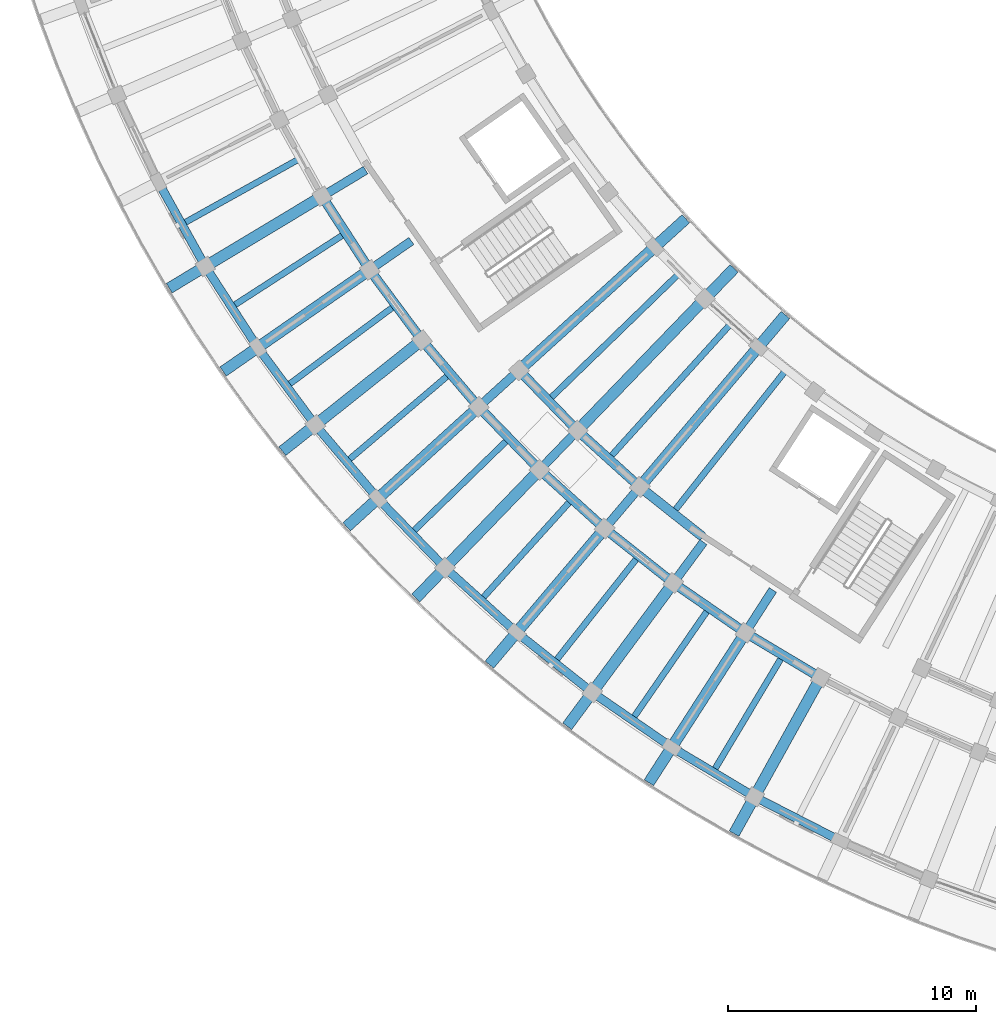
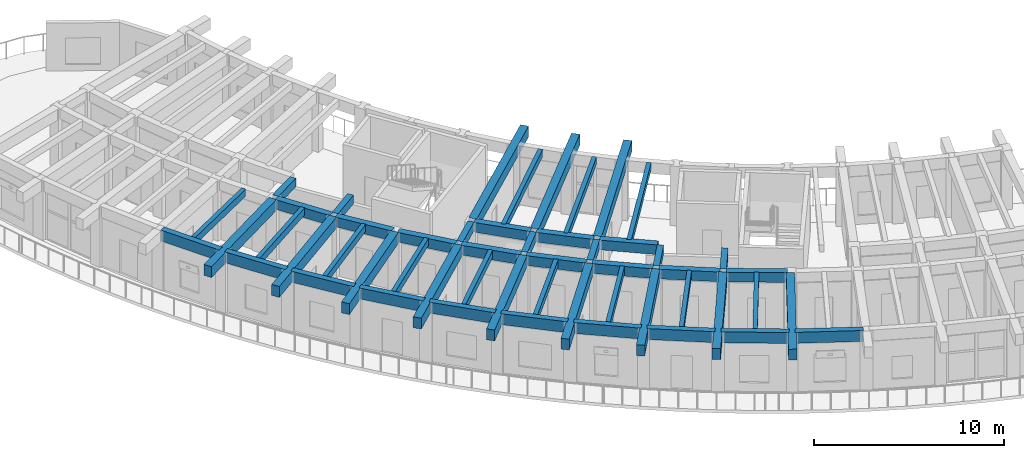
# One storey, part 6 of 128: 52 beams.
"""IFC4 building model written with IfcOpenShell, lengths in metres."""

from ifc_helpers import new_model, si_unit, direction, frame, origin, origin_2d, place, context, subcontext, project, spatial, rectangle, extrude, material, material_profile, profile_set, type_object, element, save


model = new_model("IFC4")

# Units and contexts
model_context = context("Model", 3, precision=1e-05, world=origin(), true_north=direction((0.0, 1.0)))
body_context = subcontext(model_context, "Body", "Model", "MODEL_VIEW")
ifc_project = project(units=[si_unit("LENGTHUNIT", "METRE"), si_unit("AREAUNIT", "SQUARE_METRE"), si_unit("VOLUMEUNIT", "CUBIC_METRE"), si_unit("PLANEANGLEUNIT", "RADIAN"), si_unit("MASSUNIT", "GRAM", prefix="KILO")], contexts=[model_context])

# Site, building, storey
site_placement = place(None, origin())
site = spatial("IfcSite", under=ifc_project, at=site_placement, CompositionType="ELEMENT")
building_placement = place(site_placement, origin())
building = spatial("IfcBuilding", under=site, at=building_placement, Name="Tanwirah Colonnade Gardens", CompositionType="ELEMENT")
storey_placement = place(building_placement, frame((0.0, 0.0, 4.760009765625)))
storey = spatial("IfcBuildingStorey", under=building, at=storey_placement, Name="L01", CompositionType="ELEMENT", Elevation=4.760009765625)

# Beams
ifc_material_1 = material(Name="Precast concrete C40/50", Category="concrete")
ifc_material_profile_1 = material_profile(ifc_material_1, rectangle(XDim=0.35009765625, YDim=0.550048828125, at=origin_2d()), Name="PC-BM 350x550")
ifc_profile_set_1 = profile_set([ifc_material_profile_1], Name="Precast concrete C40/50")
beam_type_1 = type_object("IfcBeamType", Name="BM-PC350A", PredefinedType="BEAM", material=ifc_profile_set_1)
beam_1_placement = place(storey_placement, frame((20.42724609375, 37.718017578125, 3.550048828125), z_axis=(-0.857186654737, -0.515005863017, 0.0), x_axis=(0.515005863017, -0.857186654737, 0.0)))
element("IfcBeam", 1, at=beam_1_placement, inside=storey, type_object=beam_type_1, Name="Block C L01 Corridor Tie Beam 4", PredefinedType="BEAM", context=body_context, shape_type="SweptSolid", body=[
    extrude(rectangle(XDim=0.35009765625, YDim=0.550048828125, at=origin_2d()), origin(), (0.0, 0.0, 1.0), 1.89990234375),
])
beam_2_placement = place(storey_placement, frame((22.2744140625, 34.860107421875, 3.550048828125), z_axis=(-0.821669163201, -0.569964723684, 0.0), x_axis=(0.569964723684, -0.821669163201, 0.0)))
element("IfcBeam", 2, at=beam_2_placement, inside=storey, type_object=beam_type_1, Name="Block C L01 Corridor Tie Beam 5", PredefinedType="BEAM", context=body_context, shape_type="SweptSolid", body=[
    extrude(rectangle(XDim=0.35009765625, YDim=0.550048828125, at=origin_2d()), origin(), (0.0, 0.0, 1.0), 1.900146484375),
])
beam_3_placement = place(storey_placement, frame((26.508544921875, 29.536865234375, 3.550048828125), z_axis=(-0.740219127015, -0.672365707038, 0.0), x_axis=(0.672365707038, -0.740219127015, 0.0)))
element("IfcBeam", 3, at=beam_3_placement, inside=storey, type_object=beam_type_1, Name="Block C L01 Corridor Tie Beam 7", PredefinedType="BEAM", context=body_context, shape_type="SweptSolid", body=[
    extrude(rectangle(XDim=0.35009765625, YDim=0.550048828125, at=origin_2d()), origin(), (0.0, 0.0, 1.0), 1.899658203125),
])
beam_4_placement = place(storey_placement, frame((28.877685546875, 27.09423828125, 3.550048828125), z_axis=(-0.694663306685, -0.719335033448, 0.0), x_axis=(0.719335033448, -0.694663306685, 0.0)))
element("IfcBeam", 4, at=beam_4_placement, inside=storey, type_object=beam_type_1, Name="Block C L01 Corridor Tie Beam 8", PredefinedType="BEAM", context=body_context, shape_type="SweptSolid", body=[
    extrude(rectangle(XDim=0.35009765625, YDim=0.550048828125, at=origin_2d()), origin(), (0.0, 0.0, 1.0), 1.89990234375),
])
for number, where, z_axis, x_axis, name in (
    (5, (31.401611328125, 24.81201171875, 3.550048828125), (-0.646155325581, -0.763205932382, 0.0), (0.763205932382, -0.646155325581, 0.0), "Block C L01 Corridor Tie Beam 9"),
    (6, (34.0693359375, 22.699462890625, 3.550048828125), (-0.594889497099, -0.803807493273, 0.0), (0.803807493273, -0.594889497099, 0.0), "Block C L01 Corridor Tie Beam 10"),
):
    element("IfcBeam", number, at=place(storey_placement, frame(where, z_axis=z_axis, x_axis=x_axis)), inside=storey, type_object=beam_type_1, Name=name, PredefinedType="BEAM", context=body_context, shape_type="SweptSolid", body=[
        extrude(rectangle(XDim=0.35009765625, YDim=0.550048828125, at=origin_2d()), origin(), (0.0, 0.0, 1.0), 1.900146484375),
    ])
beam_5_placement = place(storey_placement, frame((36.869384765625, 20.765869140625, 3.550048828125), z_axis=(-0.540984881989, -0.841032316537, 0.0), x_axis=(0.841032316537, -0.540984881989, 0.0)))
element("IfcBeam", 7, at=beam_5_placement, inside=storey, type_object=beam_type_1, Name="Block C L01 Corridor Tie Beam 11", PredefinedType="BEAM", context=body_context, shape_type="SweptSolid", body=[
    extrude(rectangle(XDim=0.35009765625, YDim=0.550048828125, at=origin_2d()), origin(), (0.0, 0.0, 1.0), 1.89990234375),
])
ifc_material_profile_2 = material_profile(ifc_material_1, rectangle(XDim=0.3798828125, YDim=0.6201171875, at=origin_2d()), Name="PC-BM 380x620")
ifc_profile_set_2 = profile_set([ifc_material_profile_2], Name="Precast concrete C40/50")
beam_type_2 = type_object("IfcBeamType", Name="BM-PC380", PredefinedType="BEAM", material=ifc_profile_set_2)
beam_6_placement = place(storey_placement, frame((18.75146484375, 36.5361328125, 3.514892578125), z_axis=(0.542825891173, -0.839845254718, 0.0), x_axis=(0.839845254718, 0.542825891173, 0.0)))
element("IfcBeam", 8, at=beam_6_placement, inside=storey, type_object=beam_type_2, Name="Block C L01 Circumferential Beam 4-R2", PredefinedType="BEAM", context=body_context, shape_type="SweptSolid", body=[
    extrude(rectangle(XDim=0.3798828125, YDim=0.6201171875, at=origin_2d()), origin(), (0.0, 0.0, 1.0), 3.23681640625),
])
beam_7_placement = place(storey_placement, frame((20.679443359375, 33.5712890625, 3.514892578125), z_axis=(0.596579473879, -0.802554005252, 0.0), x_axis=(0.802554005252, 0.596579473879, 0.0)))
element("IfcBeam", 9, at=beam_7_placement, inside=storey, type_object=beam_type_2, Name="Block C L01 Circumferential Beam 5-R2", PredefinedType="BEAM", context=body_context, shape_type="SweptSolid", body=[
    extrude(rectangle(XDim=0.3798828125, YDim=0.6201171875, at=origin_2d()), origin(), (0.0, 0.0, 1.0), 3.237060546875),
])
beam_8_placement = place(storey_placement, frame((22.797119140625, 30.73876953125, 3.514892578125), z_axis=(0.6478235549, -0.761790418499, 0.0), x_axis=(0.761790418499, 0.6478235549, 0.0)))
element("IfcBeam", 10, at=beam_8_placement, inside=storey, type_object=beam_type_2, Name="Block C L01 Circumferential Beam 6-R2", PredefinedType="BEAM", context=body_context, shape_type="SweptSolid", body=[
    extrude(rectangle(XDim=0.3798828125, YDim=0.6201171875, at=origin_2d()), origin(), (0.0, 0.0, 1.0), 3.23681640625),
])
beam_9_placement = place(storey_placement, frame((26.72412109375, 29.530029296875, 3.514892578125), z_axis=(0.696209937932, -0.71783822852, 0.0), x_axis=(0.71783822852, 0.696209937932, 0.0)))
element("IfcBeam", 11, at=beam_9_placement, inside=storey, type_object=beam_type_2, Name="Block C L01 Circumferential Beam 7-R1", PredefinedType="BEAM", context=body_context, shape_type="SweptSolid", body=[
    extrude(rectangle(XDim=0.3798828125, YDim=0.6201171875, at=origin_2d()), origin(), (0.0, 0.0, 1.0), 3.093017578125),
])
beam_10_placement = place(storey_placement, frame((25.095703125, 28.05078125, 3.514892578125), z_axis=(0.696238887656, -0.717810149911, 0.0), x_axis=(0.717810149911, 0.696238887656, 0.0)))
element("IfcBeam", 12, at=beam_10_placement, inside=storey, type_object=beam_type_2, Name="Block C L01 Circumferential Beam 7-R2", PredefinedType="BEAM", context=body_context, shape_type="SweptSolid", body=[
    extrude(rectangle(XDim=0.3798828125, YDim=0.6201171875, at=origin_2d()), origin(), (0.0, 0.0, 1.0), 3.23681640625),
])
beam_11_placement = place(storey_placement, frame((29.09326171875, 27.1015625, 3.514892578125), z_axis=(0.741698455559, -0.670733479873, 0.0), x_axis=(0.670733479873, 0.741698455559, 0.0)))
element("IfcBeam", 13, at=beam_11_placement, inside=storey, type_object=beam_type_2, Name="Block C L01 Circumferential Beam 8-R1", PredefinedType="BEAM", context=body_context, shape_type="SweptSolid", body=[
    extrude(rectangle(XDim=0.3798828125, YDim=0.6201171875, at=origin_2d()), origin(), (0.0, 0.0, 1.0), 3.0927734375),
])
beam_12_placement = place(storey_placement, frame((27.56494140625, 25.51904296875, 3.514892578125), z_axis=(0.741701929733, -0.670729638104, 0.0), x_axis=(0.670729638104, 0.741701929733, 0.0)))
element("IfcBeam", 14, at=beam_12_placement, inside=storey, type_object=beam_type_2, Name="Block C L01 Circumferential Beam 8-R2", PredefinedType="BEAM", context=body_context, shape_type="SweptSolid", body=[
    extrude(rectangle(XDim=0.3798828125, YDim=0.6201171875, at=origin_2d()), origin(), (0.0, 0.0, 1.0), 3.237060546875),
])
beam_13_placement = place(storey_placement, frame((31.615966796875, 24.833251953125, 3.514892578125), z_axis=(0.783962588163, -0.62080807047, 0.0), x_axis=(0.62080807047, 0.783962588163, 0.0)))
element("IfcBeam", 15, at=beam_13_placement, inside=storey, type_object=beam_type_2, Name="Block C L01 Circumferential Beam 9-R1", PredefinedType="BEAM", context=body_context, shape_type="SweptSolid", body=[
    extrude(rectangle(XDim=0.3798828125, YDim=0.6201171875, at=origin_2d()), origin(), (0.0, 0.0, 1.0), 3.093017578125),
])
beam_14_placement = place(storey_placement, frame((30.194580078125, 23.154052734375, 3.514892578125), z_axis=(0.783993819374, -0.620768629349, 0.0), x_axis=(0.620768629349, 0.783993819374, 0.0)))
element("IfcBeam", 16, at=beam_14_placement, inside=storey, type_object=beam_type_2, Name="Block C L01 Circumferential Beam 9-R2", PredefinedType="BEAM", context=body_context, shape_type="SweptSolid", body=[
    extrude(rectangle(XDim=0.3798828125, YDim=0.6201171875, at=origin_2d()), origin(), (0.0, 0.0, 1.0), 3.23681640625),
])
beam_15_placement = place(storey_placement, frame((32.97314453125, 20.96630859375, 3.514892578125), z_axis=(0.822889344221, -0.568201660651, 0.0), x_axis=(0.568201660651, 0.822889344221, 0.0)))
element("IfcBeam", 17, at=beam_15_placement, inside=storey, type_object=beam_type_2, Name="Block C L01 Circumferential Beam 10-R2", PredefinedType="BEAM", context=body_context, shape_type="SweptSolid", body=[
    extrude(rectangle(XDim=0.3798828125, YDim=0.6201171875, at=origin_2d()), origin(), (0.0, 0.0, 1.0), 3.237060546875),
])
beam_16_placement = place(storey_placement, frame((35.88916015625, 18.96484375, 3.514892578125), z_axis=(0.858270604513, -0.513197398111, 0.0), x_axis=(0.513197398111, 0.858270604513, 0.0)))
element("IfcBeam", 18, at=beam_16_placement, inside=storey, type_object=beam_type_2, Name="Block C L01 Circumferential Beam 11-R2", PredefinedType="BEAM", context=body_context, shape_type="SweptSolid", body=[
    extrude(rectangle(XDim=0.3798828125, YDim=0.6201171875, at=origin_2d()), origin(), (0.0, 0.0, 1.0), 3.23681640625),
])
ifc_material_2 = material(Name="Precast concrete C45/55", Category="concrete")
ifc_material_profile_3 = material_profile(ifc_material_2, rectangle(XDim=0.449951171875, YDim=0.699951171875, at=origin_2d()), Name="PC-BM 450x700")
ifc_profile_set_3 = profile_set([ifc_material_profile_3], Name="Precast concrete C45/55")
beam_type_3 = type_object("IfcBeamType", Name="BM-PC450", PredefinedType="BEAM", material=ifc_profile_set_3)
for number, where, z_axis, x_axis, name in (
    (19, (18.54150390625, 36.5849609375, 3.47509765625), (-0.857159687729, -0.515050744812, 0.0), (0.515050744812, -0.857159687729, 0.0), "Block C L01 Outer Radial Precast Girder 4"),
    (20, (20.466796875, 33.606201171875, 3.47509765625), (-0.821647028495, -0.569996632066, 0.0), (0.569996632066, -0.821647028495, 0.0), "Block C L01 Outer Radial Precast Girder 5"),
):
    element("IfcBeam", number, at=place(storey_placement, frame(where, z_axis=z_axis, x_axis=x_axis)), inside=storey, type_object=beam_type_3, Name=name, PredefinedType="BEAM", context=body_context, shape_type="SweptSolid", body=[
        extrude(rectangle(XDim=0.449951171875, YDim=0.699951171875, at=origin_2d()), origin(), (0.0, 0.0, 1.0), 7.050048828125),
    ])
beam_17_placement = place(storey_placement, frame((22.58251953125, 30.759765625, 3.47509765625), z_axis=(-0.782609106384, -0.622513442911, 0.0), x_axis=(0.622513442911, -0.782609106384, 0.0)))
element("IfcBeam", 21, at=beam_17_placement, inside=storey, type_object=beam_type_3, Name="Block C L01 Outer Radial Precast Girder 6", PredefinedType="BEAM", context=body_context, shape_type="SweptSolid", body=[
    extrude(rectangle(XDim=0.449951171875, YDim=0.699951171875, at=origin_2d()), origin(), (0.0, 0.0, 1.0), 7.0498046875),
])
beam_18_placement = place(storey_placement, frame((26.730712890625, 29.738525390625, 3.47509765625), z_axis=(0.740212791446, 0.672372681911, 0.0), x_axis=(-0.672372681911, 0.740212791446, 0.0)))
element("IfcBeam", 22, at=beam_18_placement, inside=storey, type_object=beam_type_3, Name="Block C L01 Inner Radial Precast Girder 7", PredefinedType="BEAM", context=body_context, shape_type="SweptSolid", body=[
    extrude(rectangle(XDim=0.449951171875, YDim=0.699951171875, at=origin_2d()), origin(), (0.0, 0.0, 1.0), 8.9501953125),
])
beam_19_placement = place(storey_placement, frame((24.880126953125, 28.0576171875, 3.47509765625), z_axis=(-0.740229899169, -0.672353847596, 0.0), x_axis=(0.672353847596, -0.740229899169, 0.0)))
element("IfcBeam", 23, at=beam_19_placement, inside=storey, type_object=beam_type_3, Name="Block C L01 Outer Radial Precast Girder 7", PredefinedType="BEAM", context=body_context, shape_type="SweptSolid", body=[
    extrude(rectangle(XDim=0.449951171875, YDim=0.699951171875, at=origin_2d()), origin(), (0.0, 0.0, 1.0), 7.0498046875),
])
beam_20_placement = place(storey_placement, frame((29.086181640625, 27.31005859375, 3.47509765625), z_axis=(0.694655848402, 0.719342235852, 0.0), x_axis=(-0.719342235852, 0.694655848402, 0.0)))
element("IfcBeam", 24, at=beam_20_placement, inside=storey, type_object=beam_type_3, Name="Block C L01 Inner Radial Precast Girder 8", PredefinedType="BEAM", context=body_context, shape_type="SweptSolid", body=[
    extrude(rectangle(XDim=0.449951171875, YDim=0.699951171875, at=origin_2d()), origin(), (0.0, 0.0, 1.0), 8.9501953125),
])
beam_21_placement = place(storey_placement, frame((27.349609375, 25.51171875, 3.47509765625), z_axis=(-0.69467114255, -0.719327466254, 0.0), x_axis=(0.719327466254, -0.69467114255, 0.0)))
element("IfcBeam", 25, at=beam_21_placement, inside=storey, type_object=beam_type_3, Name="Block C L01 Outer Radial Precast Girder 8", PredefinedType="BEAM", context=body_context, shape_type="SweptSolid", body=[
    extrude(rectangle(XDim=0.449951171875, YDim=0.699951171875, at=origin_2d()), origin(), (0.0, 0.0, 1.0), 7.050048828125),
])
beam_22_placement = place(storey_placement, frame((31.595458984375, 25.040771484375, 3.47509765625), z_axis=(0.64611097415, 0.763243479554, 0.0), x_axis=(-0.763243479554, 0.64611097415, 0.0)))
element("IfcBeam", 26, at=beam_22_placement, inside=storey, type_object=beam_type_3, Name="Block C L01 Inner Radial Precast Girder 9", PredefinedType="BEAM", context=body_context, shape_type="SweptSolid", body=[
    extrude(rectangle(XDim=0.449951171875, YDim=0.699951171875, at=origin_2d()), origin(), (0.0, 0.0, 1.0), 8.949951171875),
])
for number, where, z_axis, x_axis, name in (
    (27, (29.97998046875, 23.1328125, 3.47509765625), (-0.646119193339, -0.763236521663, 0.0), (0.763236521663, -0.646119193339, 0.0), "Block C L01 Outer Radial Precast Girder 9"),
    (28, (32.760498046875, 20.930908203125, 3.47509765625), (-0.594806754627, -0.803868723518, 0.0), (0.803868723518, -0.594806754627, 0.0), "Block C L01 Outer Radial Precast Girder 10"),
    (29, (35.67919921875, 18.915771484375, 3.47509765625), (-0.540976349149, -0.841037805132, 0.0), (0.841037805132, -0.540976349149, 0.0), "Block C L01 Outer Radial Precast Girder 11"),
):
    element("IfcBeam", number, at=place(storey_placement, frame(where, z_axis=z_axis, x_axis=x_axis)), inside=storey, type_object=beam_type_3, Name=name, PredefinedType="BEAM", context=body_context, shape_type="SweptSolid", body=[
        extrude(rectangle(XDim=0.449951171875, YDim=0.699951171875, at=origin_2d()), origin(), (0.0, 0.0, 1.0), 7.050048828125),
    ])
beam_23_placement = place(storey_placement, frame((38.723388671875, 17.095703125, 3.47509765625), z_axis=(-0.484804753745, -0.874622404667, 0.0), x_axis=(0.874622404667, -0.484804753745, 0.0)))
element("IfcBeam", 30, at=beam_23_placement, inside=storey, type_object=beam_type_3, Name="Block C L01 Outer Radial Precast Girder 12", PredefinedType="BEAM", context=body_context, shape_type="SweptSolid", body=[
    extrude(rectangle(XDim=0.449951171875, YDim=0.699951171875, at=origin_2d()), origin(), (0.0, 0.0, 1.0), 7.05029296875),
])
ifc_material_profile_4 = material_profile(ifc_material_1, rectangle(XDim=0.25, YDim=0.449951171875, at=origin_2d()), Name="PC-JST 250x450")
ifc_profile_set_4 = profile_set([ifc_material_profile_4], Name="Precast concrete C40/50")
beam_type_4 = type_object("IfcBeamType", Name="JST-PC250", PredefinedType="JOIST", material=ifc_profile_set_4)
for number, where, z_axis, x_axis, name in (
    (31, (17.67919921875, 38.134521484375, 3.60009765625), (-0.87356769437, -0.486702664214, 0.0), (0.486702664214, -0.87356769437, 0.0), "Block C L01 Precast Floor Joist 3"),
    (32, (19.5048828125, 35.09619140625, 3.60009765625), (-0.839842770955, -0.542829733963, 0.0), (0.542829733963, -0.839842770955, 0.0), "Block C L01 Precast Floor Joist 4"),
    (33, (21.525390625, 32.18359375, 3.60009765625), (-0.802560347737, -0.596570941499, 0.0), (0.596570941499, -0.802560347737, 0.0), "Block C L01 Precast Floor Joist 5"),
    (34, (23.732177734375, 29.409423828125, 3.60009765625), (-0.761803021124, -0.647808734895, 0.0), (0.647808734895, -0.761803021124, 0.0), "Block C L01 Precast Floor Joist 6"),
    (35, (26.115478515625, 26.785400390625, 3.60009765625), (-0.717816036263, -0.696232818878, 0.0), (0.696232818878, -0.717816036263, 0.0), "Block C L01 Precast Floor Joist 7"),
):
    element("IfcBeam", number, at=place(storey_placement, frame(where, z_axis=z_axis, x_axis=x_axis)), inside=storey, type_object=beam_type_4, Name=name, PredefinedType="JOIST", context=body_context, shape_type="SweptSolid", body=[
        extrude(rectangle(XDim=0.25, YDim=0.449951171875, at=origin_2d()), origin(), (0.0, 0.0, 1.0), 5.260009765625),
    ])
beam_24_placement = place(storey_placement, frame((33.006591796875, 33.46923828125, 3.60009765625), z_axis=(-0.717816218075, -0.69623263143, 0.0), x_axis=(0.69623263143, -0.717816218075, 0.0)))
element("IfcBeam", 36, at=beam_24_placement, inside=storey, type_object=beam_type_4, Name="Block C L01 Inner Precast Floor Joist 7", PredefinedType="JOIST", context=body_context, shape_type="SweptSolid", body=[
    extrude(rectangle(XDim=0.25, YDim=0.449951171875, at=origin_2d()), origin(), (0.0, 0.0, 1.0), 7.16015625),
])
beam_25_placement = place(storey_placement, frame((28.66552734375, 24.322998046875, 3.60009765625), z_axis=(-0.670780841255, -0.741655622918, 0.0), x_axis=(0.741655622918, -0.670780841255, 0.0)))
element("IfcBeam", 37, at=beam_25_placement, inside=storey, type_object=beam_type_4, Name="Block C L01 Precast Floor Joist 8", PredefinedType="JOIST", context=body_context, shape_type="SweptSolid", body=[
    extrude(rectangle(XDim=0.25, YDim=0.449951171875, at=origin_2d()), origin(), (0.0, 0.0, 1.0), 5.260009765625),
])
beam_26_placement = place(storey_placement, frame((35.104736328125, 31.443115234375, 3.60009765625), z_axis=(-0.670773136608, -0.741662591214, 0.0), x_axis=(0.741662591214, -0.670773136608, 0.0)))
element("IfcBeam", 38, at=beam_26_placement, inside=storey, type_object=beam_type_4, Name="Block C L01 Inner Precast Floor Joist 8", PredefinedType="JOIST", context=body_context, shape_type="SweptSolid", body=[
    extrude(rectangle(XDim=0.25, YDim=0.449951171875, at=origin_2d()), origin(), (0.0, 0.0, 1.0), 7.159912109375),
])
beam_27_placement = place(storey_placement, frame((31.370849609375, 22.03271484375, 3.60009765625), z_axis=(-0.620787347885, -0.783978997617, 0.0), x_axis=(0.783978997617, -0.620787347885, 0.0)))
element("IfcBeam", 39, at=beam_27_placement, inside=storey, type_object=beam_type_4, Name="Block C L01 Precast Floor Joist 9", PredefinedType="JOIST", context=body_context, shape_type="SweptSolid", body=[
    extrude(rectangle(XDim=0.25, YDim=0.449951171875, at=origin_2d()), origin(), (0.0, 0.0, 1.0), 5.260009765625),
])
beam_28_placement = place(storey_placement, frame((37.33056640625, 29.55859375, 3.60009765625), z_axis=(-0.620803379809, -0.783966302603, 0.0), x_axis=(0.783966302603, -0.620803379809, 0.0)))
element("IfcBeam", 40, at=beam_28_placement, inside=storey, type_object=beam_type_4, Name="Block C L01 Inner Precast Floor Joist 9", PredefinedType="JOIST", context=body_context, shape_type="SweptSolid", body=[
    extrude(rectangle(XDim=0.25, YDim=0.449951171875, at=origin_2d()), origin(), (0.0, 0.0, 1.0), 7.159912109375),
])
for number, where, z_axis, x_axis, name in (
    (41, (34.220458984375, 19.924072265625, 3.60009765625), (-0.56820792868, -0.822885016138, 0.0), (0.822885016138, -0.56820792868, 0.0), "Block C L01 Precast Floor Joist 10"),
    (42, (37.20166015625, 18.006591796875, 3.60009765625), (-0.513157303227, -0.858294577721, 0.0), (0.858294577721, -0.513157303227, 0.0), "Block C L01 Precast Floor Joist 11"),
):
    element("IfcBeam", number, at=place(storey_placement, frame(where, z_axis=z_axis, x_axis=x_axis)), inside=storey, type_object=beam_type_4, Name=name, PredefinedType="JOIST", context=body_context, shape_type="SweptSolid", body=[
        extrude(rectangle(XDim=0.25, YDim=0.449951171875, at=origin_2d()), origin(), (0.0, 0.0, 1.0), 5.260009765625),
    ])
ifc_material_profile_5 = material_profile(ifc_material_2, rectangle(XDim=0.340087890625, YDim=0.699951171875, at=origin_2d()), Name="PC-SP 340x700")
ifc_profile_set_5 = profile_set([ifc_material_profile_5], Name="Precast concrete C45/55")
beam_type_5 = type_object("IfcBeamType", Name="SP-PC340", PredefinedType="SPANDREL", material=ifc_profile_set_5)
beam_29_placement = place(storey_placement, frame((12.132080078125, 37.1025390625, 3.47509765625), z_axis=(0.486679958674, -0.87358034423, 0.0), x_axis=(0.87358034423, 0.486679958674, 0.0)))
element("IfcBeam", 43, at=beam_29_placement, inside=storey, type_object=beam_type_5, Name="Block C L01 Circumferential Beam 3-R3", PredefinedType="SPANDREL", context=body_context, shape_type="SweptSolid", body=[
    extrude(rectangle(XDim=0.340087890625, YDim=0.699951171875, at=origin_2d()), origin(), (0.0, 0.0, 1.0), 3.5966796875),
])
for number, where, z_axis, x_axis, name in (
    (44, (14.037109375, 33.70361328125, 3.47509765625), (0.542786838894, -0.839870494495, 0.0), (0.839870494495, 0.542786838894, 0.0), "Block C L01 Circumferential Beam 4-R3"),
    (45, (16.160400390625, 30.436279296875, 3.47509765625), (0.596562665898, -0.802566499212, 0.0), (0.802566499212, 0.596562665898, 0.0), "Block C L01 Circumferential Beam 5-R3"),
):
    element("IfcBeam", number, at=place(storey_placement, frame(where, z_axis=z_axis, x_axis=x_axis)), inside=storey, type_object=beam_type_5, Name=name, PredefinedType="SPANDREL", context=body_context, shape_type="SweptSolid", body=[
        extrude(rectangle(XDim=0.340087890625, YDim=0.699951171875, at=origin_2d()), origin(), (0.0, 0.0, 1.0), 3.596923828125),
    ])
for number, where, z_axis, x_axis, name in (
    (46, (18.492919921875, 27.31494140625, 3.47509765625), (0.647784367984, -0.76182374116, 0.0), (0.76182374116, 0.647784367984, 0.0), "Block C L01 Circumferential Beam 6-R3"),
    (47, (21.0244140625, 24.352783203125, 3.47509765625), (0.696231699401, -0.717817122079, 0.0), (0.717817122079, 0.696231699401, 0.0), "Block C L01 Circumferential Beam 7-R3"),
):
    element("IfcBeam", number, at=place(storey_placement, frame(where, z_axis=z_axis, x_axis=x_axis)), inside=storey, type_object=beam_type_5, Name=name, PredefinedType="SPANDREL", context=body_context, shape_type="SweptSolid", body=[
        extrude(rectangle(XDim=0.340087890625, YDim=0.699951171875, at=origin_2d()), origin(), (0.0, 0.0, 1.0), 3.5966796875),
    ])
for number, where, z_axis, x_axis, name in (
    (48, (23.744384765625, 21.562744140625, 3.47509765625), (0.741682092868, -0.670751573325, 0.0), (0.670751573325, 0.741682092868, 0.0), "Block C L01 Circumferential Beam 8-R3"),
    (49, (26.640869140625, 18.956298828125, 3.47509765625), (0.783971495357, -0.620796822211, 0.0), (0.620796822211, 0.783971495357, 0.0), "Block C L01 Circumferential Beam 9-R3"),
    (50, (29.70166015625, 16.545166015625, 3.47509765625), (0.822907478943, -0.568175396423, 0.0), (0.568175396423, 0.822907478943, 0.0), "Block C L01 Circumferential Beam 10-R3"),
):
    element("IfcBeam", number, at=place(storey_placement, frame(where, z_axis=z_axis, x_axis=x_axis)), inside=storey, type_object=beam_type_5, Name=name, PredefinedType="SPANDREL", context=body_context, shape_type="SweptSolid", body=[
        extrude(rectangle(XDim=0.340087890625, YDim=0.699951171875, at=origin_2d()), origin(), (0.0, 0.0, 1.0), 3.596923828125),
    ])
for number, where, z_axis, x_axis, name in (
    (51, (32.913818359375, 14.339111328125, 3.47509765625), (0.858282522832, -0.513177465407, 0.0), (0.513177465407, 0.858282522832, 0.0), "Block C L01 Circumferential Beam 11-R3"),
    (52, (36.26318359375, 12.347900390625, 3.47509765625), (0.890013134589, -0.455934885985, 0.0), (0.455934885985, 0.890013134589, 0.0), "Block C L01 Circumferential Beam 12-R3"),
):
    element("IfcBeam", number, at=place(storey_placement, frame(where, z_axis=z_axis, x_axis=x_axis)), inside=storey, type_object=beam_type_5, Name=name, PredefinedType="SPANDREL", context=body_context, shape_type="SweptSolid", body=[
        extrude(rectangle(XDim=0.340087890625, YDim=0.699951171875, at=origin_2d()), origin(), (0.0, 0.0, 1.0), 3.5966796875),
    ])

save(model, "model.ifc")
